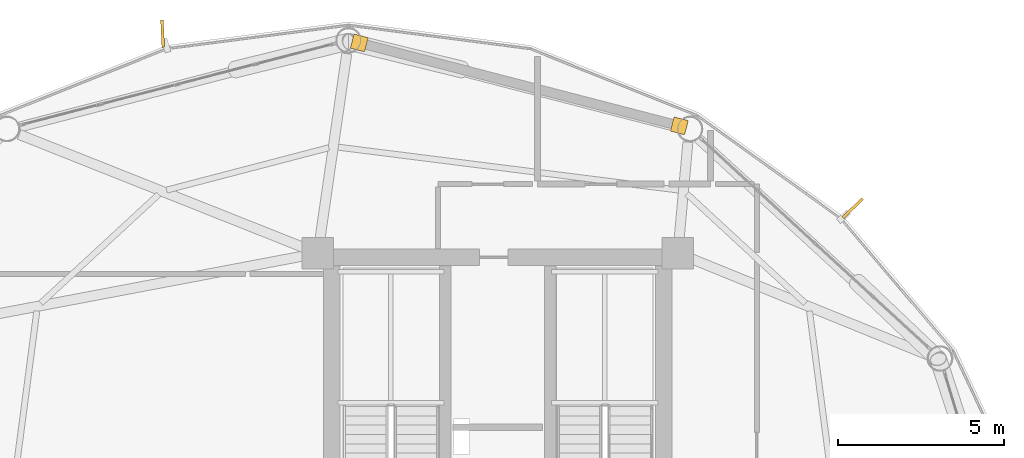
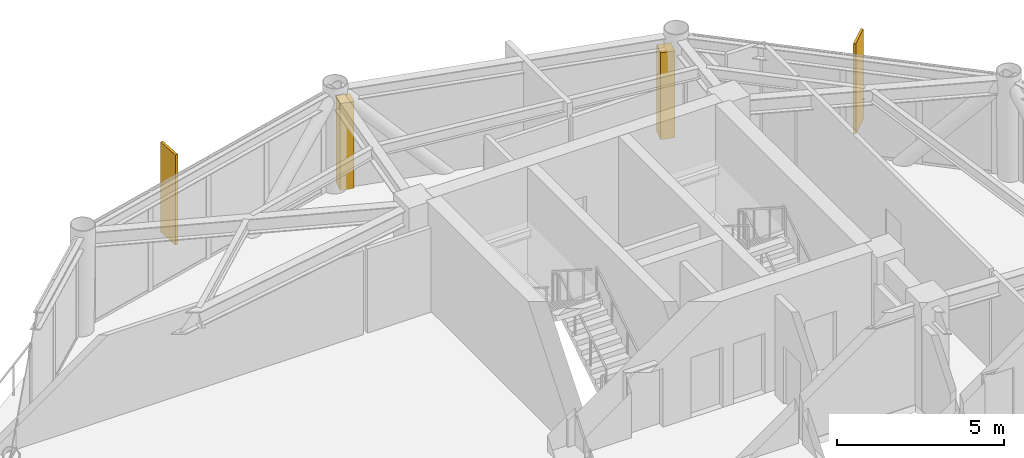
# One storey, part 26 of 26: 2 coverings, 2 shading devices.
"""IFC4 building model written with IfcOpenShell, lengths in metres."""

from ifc_helpers import new_model, si_unit, direction, frame, origin, origin_2d, place, context, subcontext, project, spatial, rectangle, extrude, source, transform, mapped, material, layer, layer_set, type_object, type_shapes, element, save


model = new_model("IFC4")

# Units and contexts
model_context = context("Model", 3, precision=1e-05, world=origin(), true_north=direction((0.0, 1.0)))
body_context = subcontext(model_context, "Body", "Model", "MODEL_VIEW")
ifc_project = project(units=[si_unit("LENGTHUNIT", "METRE"), si_unit("AREAUNIT", "SQUARE_METRE"), si_unit("VOLUMEUNIT", "CUBIC_METRE"), si_unit("PLANEANGLEUNIT", "RADIAN"), si_unit("MASSUNIT", "GRAM", prefix="KILO")], contexts=[model_context])

# Site, building, storey
site_placement = place(None, origin())
site = spatial("IfcSite", under=ifc_project, at=site_placement, CompositionType="ELEMENT")
building_placement = place(site_placement, origin())
building = spatial("IfcBuilding", under=site, at=building_placement, Name="Varnakorn Sky Granary", CompositionType="ELEMENT")
storey_placement = place(building_placement, frame((0.0, 0.0, 153.89990234375)))
storey = spatial("IfcBuildingStorey", under=building, at=storey_placement, Name="L38", CompositionType="ELEMENT", Elevation=153.89990234375)

# Shading devices
ifc_material = material(Name="Anodised Bronze Aluminium Alloy 6063-T6", Category="aluminium")
shading_device_type = type_object("IfcShadingDeviceType", Name="SH-FIN-02", PredefinedType="USERDEFINED", material=ifc_material)
shared_shape_1 = source(origin(), body_context, "Body", "SweptSolid", [
    extrude(rectangle(XDim=0.0849609375, YDim=0.820068359375, at=origin_2d()), origin(), (0.0, 0.0, 1.0), 3.300048828125),
])
type_shapes(shading_device_type, [shared_shape_1])
for number, where, z_axis, x_axis, name in (
    (1, (13.6865234375, 13.971923828125, -0.0400390625), (0.0, 0.0, 1.0), (-0.693971692665, 0.720002284566, 0.0), "Bronze Solar-Tracking Vertical Blade FIN L38-02"),
    (2, (-7.098388671875, 19.233642578125, -0.0400390625), (0.0, 0.0, 1.0), (-0.99886601932, -0.047609615073, 0.0), "Bronze Solar-Tracking Vertical Blade FIN L38-04"),
):
    element("IfcShadingDevice", number, at=place(storey_placement, frame(where, z_axis=z_axis, x_axis=x_axis)), inside=storey, type_object=shading_device_type, Name=name, ObjectType="FIN", PredefinedType="USERDEFINED", context=body_context, shape_type="MappedRepresentation", body=[
        mapped(shared_shape_1, transform((0.0, 0.0, 0.0), x_axis=(1.0, 0.0, 0.0), y_axis=(0.0, 1.0, 0.0), z_axis=(0.0, 0.0, 1.0), scale=1.0)),
    ])

# Coverings
ifc_layer = layer(ifc_material, 0.050048828125, Name="Anodised Bronze Aluminium Alloy 6063-T6")
ifc_layer_set = layer_set([ifc_layer], Name="Anodised Bronze Aluminium Alloy 6063-T6")
covering_type = type_object("IfcCoveringType", Name="CV-CLAD-50", PredefinedType="CLADDING", material=ifc_layer_set)
shared_shape_2 = source(origin(), body_context, "Body", "SweptSolid", [
    extrude(rectangle(XDim=0.43994140625, YDim=0.43994140625, at=origin_2d()), origin(), (0.0, 0.0, 1.0), 3.179931640625),
])
type_shapes(covering_type, [shared_shape_2])
for number, where, z_axis, x_axis, name in (
    (3, (-1.1748046875, 18.955810546875, -0.02001953125), (0.0, 0.0, 1.0), (0.968016409009, -0.250886890629, 0.0), "Bronze Corner Pilaster Closure L38-P03-A"),
    (4, (8.4658203125, 16.45654296875, -0.02001953125), (0.0, 0.0, 1.0), (0.968016409009, -0.250886890629, 0.0), "Bronze Corner Pilaster Closure L38-P03-B"),
):
    element("IfcCovering", number, at=place(storey_placement, frame(where, z_axis=z_axis, x_axis=x_axis)), inside=storey, type_object=covering_type, Name=name, PredefinedType="CLADDING", context=body_context, shape_type="MappedRepresentation", body=[
        mapped(shared_shape_2, transform((0.0, 0.0, 0.0), x_axis=(1.0, 0.0, 0.0), y_axis=(0.0, 1.0, 0.0), z_axis=(0.0, 0.0, 1.0), scale=1.0)),
    ])

save(model, "model.ifc")
